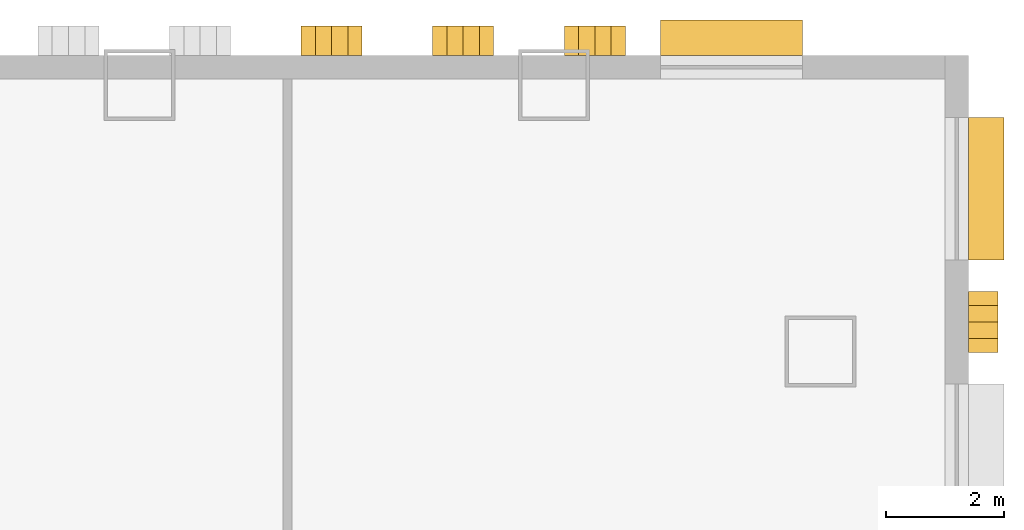
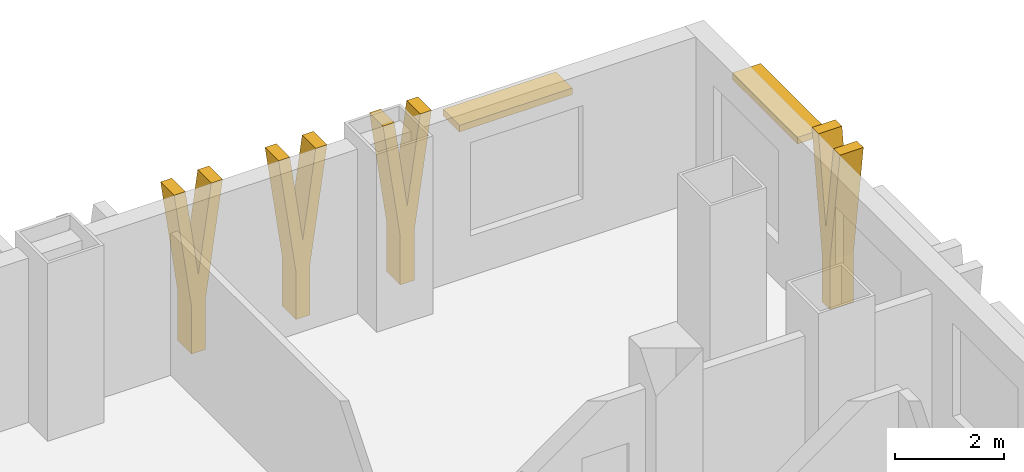
# One storey, part 24 of 24: 6 shading devices.
"""IFC4 building model written with IfcOpenShell, lengths in metres."""

from ifc_helpers import new_model, si_unit, direction, frame, origin, origin_2d, place, context, subcontext, project, spatial, polyline, rectangle, outline, extrude, material, layer, layer_set, type_object, element, save


model = new_model("IFC4")

# Units and contexts
model_context = context("Model", 3, precision=1e-05, world=origin(), true_north=direction((0.0, 1.0)))
body_context = subcontext(model_context, "Body", "Model", "MODEL_VIEW")
ifc_project = project(units=[si_unit("LENGTHUNIT", "METRE"), si_unit("AREAUNIT", "SQUARE_METRE"), si_unit("VOLUMEUNIT", "CUBIC_METRE"), si_unit("PLANEANGLEUNIT", "RADIAN"), si_unit("MASSUNIT", "GRAM", prefix="KILO")], contexts=[model_context])

# Site, building, storey
site_placement = place(None, origin())
site = spatial("IfcSite", under=ifc_project, at=site_placement, CompositionType="ELEMENT")
building_placement = place(site_placement, origin())
building = spatial("IfcBuilding", under=site, at=building_placement, Name="Vidyagriha Tower", CompositionType="ELEMENT")
storey_placement = place(building_placement, frame((0.0, 0.0, 22.0)))
storey = spatial("IfcBuildingStorey", under=building, at=storey_placement, Name="L05", CompositionType="ELEMENT", Elevation=22.0)

# Shading devices
ifc_material_1 = material(Name="Precast concrete C40/50 with brick facing", Category="concrete")
ifc_layer_1 = layer(ifc_material_1, 0.14990234375)
ifc_layer_set_1 = layer_set([ifc_layer_1], Name="Precast concrete C40/50 with brick facing")
shading_device_type_1 = type_object("IfcShadingDeviceType", Name="Brick chhajja window hood", PredefinedType="AWNING", material=ifc_layer_set_1)
for number, where, z_axis, x_axis, name in (
    (1, (40.300048828125, 17.75, 3.0), (0.0, 0.0, 1.0), (0.0, 1.0, 0.0), "Window hood L05 R01.18"),
    (2, (36.0, 20.300048828125, 3.0), (0.0, 0.0, 1.0), (-1.0, 0.0, 0.0), "Window hood L05 R02.2"),
):
    element("IfcShadingDevice", number, at=place(storey_placement, frame(where, z_axis=z_axis, x_axis=x_axis)), inside=storey, type_object=shading_device_type_1, Name=name, PredefinedType="AWNING", context=body_context, shape_type="SweptSolid", body=[
        extrude(rectangle(XDim=2.39990234375, YDim=0.60009765625, at=origin_2d()), origin(), (0.0, 0.0, 1.0), 0.14990234375),
    ])
ifc_material_2 = material(Name="Precast concrete C40/50 with buff brick facing", Category="concrete")
ifc_layer_2 = layer(ifc_material_2, 0.300048828125)
ifc_layer_set_2 = layer_set([ifc_layer_2], Name="Precast concrete C40/50 with buff brick facing")
shading_device_type_2 = type_object("IfcShadingDeviceType", Name="Brick-faced podium blade forking 8 degrees", PredefinedType="USERDEFINED", material=ifc_layer_set_2)
for number, where, z_axis, x_axis, name in (
    (3, (40.25, 14.984619140625, 0.0), (0.0, 0.0, 1.0), (0.0, 1.0, 0.0), "Podium blade L05 R01.6550"),
    (4, (34.2041015625, 20.25, 0.0), (0.0, 0.0, 1.0), (-1.0, 0.0, 0.0), "Podium blade L05 R02.591"),
    (5, (31.981689453125, 20.25, 0.0), (0.0, 0.0, 1.0), (-1.0, 0.0, 0.0), "Podium blade L05 R02.813"),
    (6, (29.75927734375, 20.25, 0.0), (0.0, 0.0, 1.0), (-1.0, 0.0, 0.0), "Podium blade L05 R02.1036"),
):
    element("IfcShadingDevice", number, at=place(storey_placement, frame(where, z_axis=z_axis, x_axis=x_axis)), inside=storey, type_object=shading_device_type_2, Name=name, ObjectType="BLADE FIN", PredefinedType="USERDEFINED", context=body_context, shape_type="SweptSolid", body=[
        extrude(outline(polyline([(0.665283203125, 0.0), (0.665283203125, 1.10009765625), (1.03076171875, 3.699951171875), (0.790771484375, 3.699951171875), (0.515380859375, 1.740478515625), (0.239990234375, 3.699951171875), (0.0, 3.699951171875), (0.365478515625, 1.10009765625), (0.365478515625, 0.0), (0.665283203125, 0.0)])), frame((0.0, 0.25, 0.0), z_axis=(0.0, -1.0, 0.0), x_axis=(1.0, 0.0, 0.0)), (0.0, 0.0, 1.0), 0.5),
    ])

save(model, "model.ifc")
